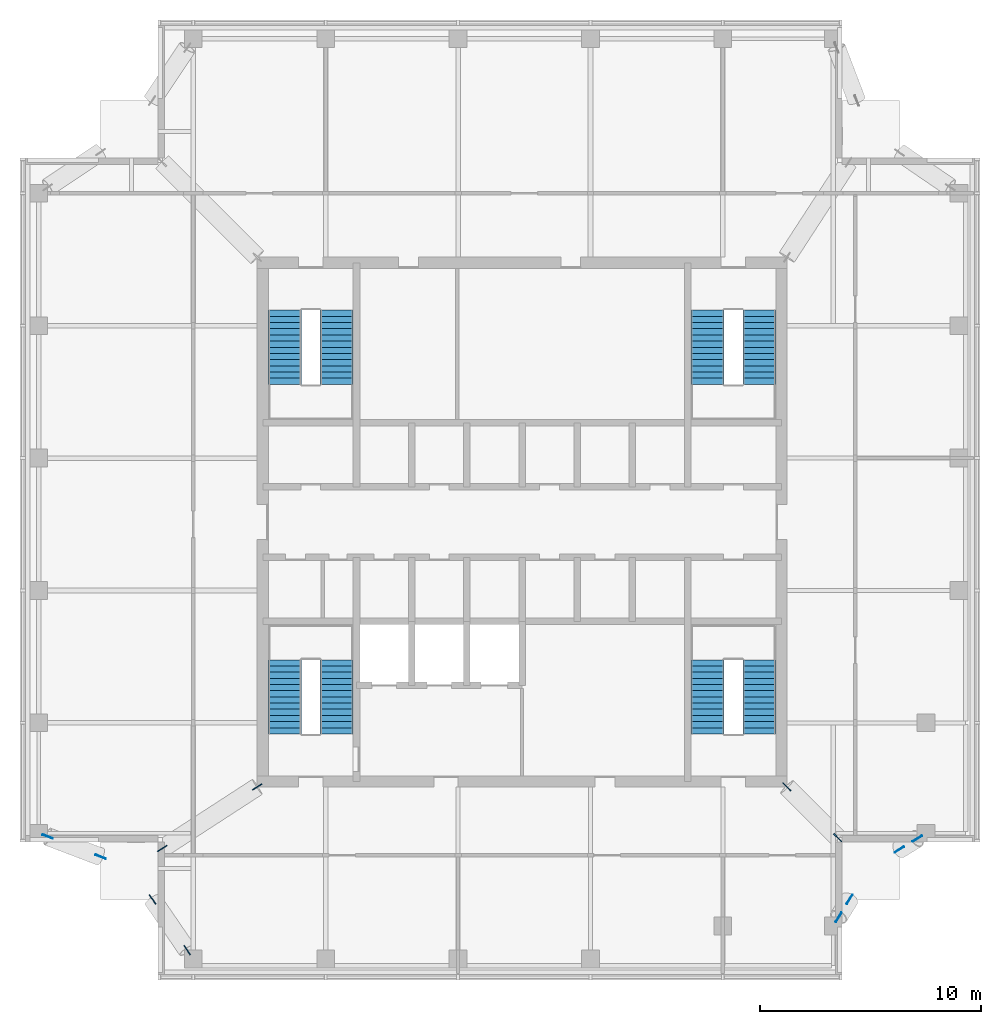
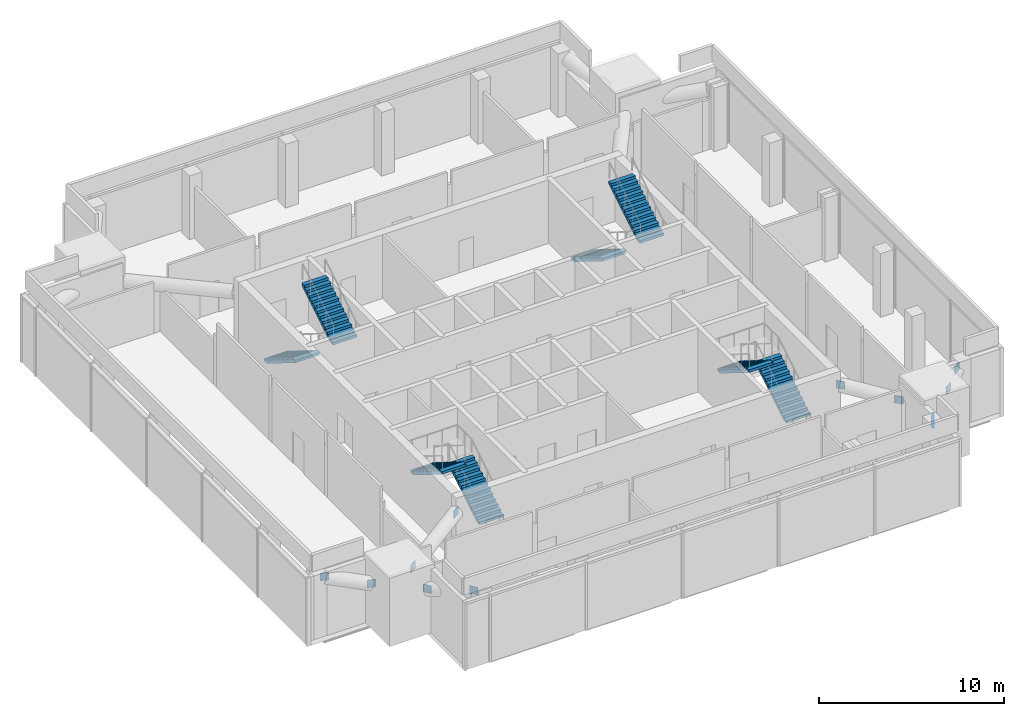
# One storey, part 8 of 11: 12 discrete accessories, 8 stair flights, 4 elements without a shape of their own.
"""IFC4 building model written with IfcOpenShell, lengths in metres."""

from ifc_helpers import new_model, si_unit, direction, frame, origin, origin_2d, place, context, subcontext, project, spatial, polyline, rectangle, outline, extrude, material, type_object, element, aggregate, save


model = new_model("IFC4")

# Units and contexts
model_context = context("Model", 3, precision=1e-05, world=origin(), true_north=direction((0.0, 1.0)))
body_context = subcontext(model_context, "Body", "Model", "MODEL_VIEW")
ifc_project = project(units=[si_unit("LENGTHUNIT", "METRE"), si_unit("AREAUNIT", "SQUARE_METRE"), si_unit("VOLUMEUNIT", "CUBIC_METRE"), si_unit("PLANEANGLEUNIT", "RADIAN"), si_unit("MASSUNIT", "GRAM", prefix="KILO")], contexts=[model_context])

# Site, building, storey
site_placement = place(None, origin())
site = spatial("IfcSite", under=ifc_project, at=site_placement, CompositionType="ELEMENT")
building_placement = place(site_placement, origin())
building = spatial("IfcBuilding", under=site, at=building_placement, Name="Amberfall Residences", CompositionType="ELEMENT")
storey_placement = place(building_placement, frame((0.0, 0.0, 286.300048828125)))
storey = spatial("IfcBuildingStorey", under=building, at=storey_placement, Name="L77 Crown", CompositionType="ELEMENT", Elevation=286.300048828125)

# Stair, stair flights
ifc_material = material(Name="Concrete C40", Category="concrete")
stair_type = type_object("IfcStairType", Name="Exit stair 26 risers 173.1 mm", PredefinedType="HALF_TURN_STAIR", material=ifc_material)
stair_1_placement = place(storey_placement, origin())
stair_1 = element("IfcStair", 1, at=stair_1_placement, inside=storey, type_object=stair_type, Name="L77 Crown Exit stair 1", PredefinedType="HALF_TURN_STAIR")
stair_flight_type = type_object("IfcStairFlightType", Name="Stair flight 13 risers 173.1 mm", PredefinedType="STRAIGHT", material=ifc_material)
stair_flight_1_placement = place(storey_placement, frame((66.10009765625, 35.89990234375, 0.0), z_axis=(0.0, 0.0, 1.0), x_axis=(0.0, 1.0, 0.0)))
stair_flight_1 = element("IfcStairFlight", 2, at=stair_flight_1_placement, type_object=stair_flight_type, Name="ST2 flight 1", NumberOfRisers=13, NumberOfTreads=12, PredefinedType="STRAIGHT", RiserHeight=0.173076923, TreadLength=0.28, context=body_context, shape_type="SweptSolid", body=[
    extrude(outline(polyline([(0.0, 0.0), (0.0, 0.173095703125), (0.280029296875, 0.173095703125), (0.280029296875, 0.34619140625), (0.56005859375, 0.34619140625), (0.56005859375, 0.519287109375), (0.840087890625, 0.519287109375), (0.840087890625, 0.6923828125), (1.1201171875, 0.6923828125), (1.1201171875, 0.865478515625), (1.39990234375, 0.865478515625), (1.39990234375, 1.03857421875), (1.679931640625, 1.03857421875), (1.679931640625, 1.21142578125), (1.9599609375, 1.21142578125), (1.9599609375, 1.384521484375), (2.239990234375, 1.384521484375), (2.239990234375, 1.5576171875), (2.52001953125, 1.5576171875), (2.52001953125, 1.730712890625), (2.800048828125, 1.730712890625), (2.800048828125, 1.90380859375), (3.080078125, 1.90380859375), (3.080078125, 2.076904296875), (3.360107421875, 2.076904296875), (3.360107421875, 2.25), (3.360107421875, 1.900634765625), (0.28515625, 0.0), (0.0, 0.0)])), frame((0.0, 0.75, 0.0), z_axis=(0.0, -1.0, 0.0), x_axis=(1.0, 0.0, 0.0)), (0.0, 0.0, 1.0), 1.5),
])
stair_flight_2_placement = place(storey_placement, frame((63.75, 39.260009765625, 2.25), z_axis=(0.0, 0.0, 1.0), x_axis=(0.0, -1.0, 0.0)))
stair_flight_2 = element("IfcStairFlight", 3, at=stair_flight_2_placement, type_object=stair_flight_type, Name="ST2 flight 2", NumberOfRisers=13, NumberOfTreads=12, PredefinedType="STRAIGHT", RiserHeight=0.173076923, TreadLength=0.28, context=body_context, shape_type="SweptSolid", body=[
    extrude(outline(polyline([(0.0, 0.0), (0.0, 0.173095703125), (0.280029296875, 0.173095703125), (0.280029296875, 0.34619140625), (0.56005859375, 0.34619140625), (0.56005859375, 0.519287109375), (0.840087890625, 0.519287109375), (0.840087890625, 0.6923828125), (1.1201171875, 0.6923828125), (1.1201171875, 0.865478515625), (1.39990234375, 0.865478515625), (1.39990234375, 1.03857421875), (1.679931640625, 1.03857421875), (1.679931640625, 1.21142578125), (1.9599609375, 1.21142578125), (1.9599609375, 1.384521484375), (2.239990234375, 1.384521484375), (2.239990234375, 1.5576171875), (2.52001953125, 1.5576171875), (2.52001953125, 1.730712890625), (2.800048828125, 1.730712890625), (2.800048828125, 1.90380859375), (3.080078125, 1.90380859375), (3.080078125, 2.076904296875), (3.360107421875, 2.076904296875), (3.360107421875, 2.25), (3.360107421875, 1.900634765625), (0.28515625, 0.0), (0.0, 0.0)])), frame((0.0, 0.75, 0.0), z_axis=(0.0, -1.0, 0.0), x_axis=(1.0, 0.0, 0.0)), (0.0, 0.0, 1.0), 1.5),
])
aggregate(stair_1, [stair_flight_1, stair_flight_2])

stair_2_placement = place(storey_placement, origin())
stair_2 = element("IfcStair", 4, at=stair_2_placement, inside=storey, type_object=stair_type, Name="L77 Crown Exit stair 2", PredefinedType="HALF_TURN_STAIR")
stair_flight_3_placement = place(storey_placement, frame((85.25, 35.89990234375, 0.0), z_axis=(0.0, 0.0, 1.0), x_axis=(0.0, 1.0, 0.0)))
stair_flight_3 = element("IfcStairFlight", 5, at=stair_flight_3_placement, type_object=stair_flight_type, Name="ST2 flight 1", NumberOfRisers=13, NumberOfTreads=12, PredefinedType="STRAIGHT", RiserHeight=0.173076923, TreadLength=0.28, context=body_context, shape_type="SweptSolid", body=[
    extrude(outline(polyline([(0.0, 0.0), (0.0, 0.173095703125), (0.280029296875, 0.173095703125), (0.280029296875, 0.34619140625), (0.56005859375, 0.34619140625), (0.56005859375, 0.519287109375), (0.840087890625, 0.519287109375), (0.840087890625, 0.6923828125), (1.1201171875, 0.6923828125), (1.1201171875, 0.865478515625), (1.39990234375, 0.865478515625), (1.39990234375, 1.03857421875), (1.679931640625, 1.03857421875), (1.679931640625, 1.21142578125), (1.9599609375, 1.21142578125), (1.9599609375, 1.384521484375), (2.239990234375, 1.384521484375), (2.239990234375, 1.5576171875), (2.52001953125, 1.5576171875), (2.52001953125, 1.730712890625), (2.800048828125, 1.730712890625), (2.800048828125, 1.90380859375), (3.080078125, 1.90380859375), (3.080078125, 2.076904296875), (3.360107421875, 2.076904296875), (3.360107421875, 2.25), (3.360107421875, 1.900634765625), (0.28515625, 0.0), (0.0, 0.0)])), frame((0.0, 0.75, 0.0), z_axis=(0.0, -1.0, 0.0), x_axis=(1.0, 0.0, 0.0)), (0.0, 0.0, 1.0), 1.5),
])
stair_flight_4_placement = place(storey_placement, frame((82.89990234375, 39.260009765625, 2.25), z_axis=(0.0, 0.0, 1.0), x_axis=(0.0, -1.0, 0.0)))
stair_flight_4 = element("IfcStairFlight", 6, at=stair_flight_4_placement, type_object=stair_flight_type, Name="ST2 flight 2", NumberOfRisers=13, NumberOfTreads=12, PredefinedType="STRAIGHT", RiserHeight=0.173076923, TreadLength=0.28, context=body_context, shape_type="SweptSolid", body=[
    extrude(outline(polyline([(0.0, 0.0), (0.0, 0.173095703125), (0.280029296875, 0.173095703125), (0.280029296875, 0.34619140625), (0.56005859375, 0.34619140625), (0.56005859375, 0.519287109375), (0.840087890625, 0.519287109375), (0.840087890625, 0.6923828125), (1.1201171875, 0.6923828125), (1.1201171875, 0.865478515625), (1.39990234375, 0.865478515625), (1.39990234375, 1.03857421875), (1.679931640625, 1.03857421875), (1.679931640625, 1.21142578125), (1.9599609375, 1.21142578125), (1.9599609375, 1.384521484375), (2.239990234375, 1.384521484375), (2.239990234375, 1.5576171875), (2.52001953125, 1.5576171875), (2.52001953125, 1.730712890625), (2.800048828125, 1.730712890625), (2.800048828125, 1.90380859375), (3.080078125, 1.90380859375), (3.080078125, 2.076904296875), (3.360107421875, 2.076904296875), (3.360107421875, 2.25), (3.360107421875, 1.900634765625), (0.28515625, 0.0), (0.0, 0.0)])), frame((0.0, 0.75, 0.0), z_axis=(0.0, -1.0, 0.0), x_axis=(1.0, 0.0, 0.0)), (0.0, 0.0, 1.0), 1.5),
])
aggregate(stair_2, [stair_flight_3, stair_flight_4])

stair_3_placement = place(storey_placement, origin())
stair_3 = element("IfcStair", 7, at=stair_3_placement, inside=storey, type_object=stair_type, Name="L77 Crown Exit stair 3", PredefinedType="HALF_TURN_STAIR")
stair_flight_5_placement = place(storey_placement, frame((82.89990234375, 55.10009765625, 0.0), z_axis=(0.0, 0.0, 1.0), x_axis=(0.0, -1.0, 0.0)))
stair_flight_5 = element("IfcStairFlight", 8, at=stair_flight_5_placement, type_object=stair_flight_type, Name="ST2 flight 1", NumberOfRisers=13, NumberOfTreads=12, PredefinedType="STRAIGHT", RiserHeight=0.173076923, TreadLength=0.28, context=body_context, shape_type="SweptSolid", body=[
    extrude(outline(polyline([(0.0, 0.0), (0.0, 0.173095703125), (0.280029296875, 0.173095703125), (0.280029296875, 0.34619140625), (0.56005859375, 0.34619140625), (0.56005859375, 0.519287109375), (0.840087890625, 0.519287109375), (0.840087890625, 0.6923828125), (1.1201171875, 0.6923828125), (1.1201171875, 0.865478515625), (1.39990234375, 0.865478515625), (1.39990234375, 1.03857421875), (1.679931640625, 1.03857421875), (1.679931640625, 1.21142578125), (1.9599609375, 1.21142578125), (1.9599609375, 1.384521484375), (2.239990234375, 1.384521484375), (2.239990234375, 1.5576171875), (2.52001953125, 1.5576171875), (2.52001953125, 1.730712890625), (2.800048828125, 1.730712890625), (2.800048828125, 1.90380859375), (3.080078125, 1.90380859375), (3.080078125, 2.076904296875), (3.360107421875, 2.076904296875), (3.360107421875, 2.25), (3.360107421875, 1.900634765625), (0.28515625, 0.0), (0.0, 0.0)])), frame((0.0, 0.75, 0.0), z_axis=(0.0, -1.0, 0.0), x_axis=(1.0, 0.0, 0.0)), (0.0, 0.0, 1.0), 1.5),
])
stair_flight_6_placement = place(storey_placement, frame((85.25, 51.739990234375, 2.25), z_axis=(0.0, 0.0, 1.0), x_axis=(0.0, 1.0, 0.0)))
stair_flight_6 = element("IfcStairFlight", 9, at=stair_flight_6_placement, type_object=stair_flight_type, Name="ST2 flight 2", NumberOfRisers=13, NumberOfTreads=12, PredefinedType="STRAIGHT", RiserHeight=0.173076923, TreadLength=0.28, context=body_context, shape_type="SweptSolid", body=[
    extrude(outline(polyline([(0.0, 0.0), (0.0, 0.173095703125), (0.280029296875, 0.173095703125), (0.280029296875, 0.34619140625), (0.56005859375, 0.34619140625), (0.56005859375, 0.519287109375), (0.840087890625, 0.519287109375), (0.840087890625, 0.6923828125), (1.1201171875, 0.6923828125), (1.1201171875, 0.865478515625), (1.39990234375, 0.865478515625), (1.39990234375, 1.03857421875), (1.679931640625, 1.03857421875), (1.679931640625, 1.21142578125), (1.9599609375, 1.21142578125), (1.9599609375, 1.384521484375), (2.239990234375, 1.384521484375), (2.239990234375, 1.5576171875), (2.52001953125, 1.5576171875), (2.52001953125, 1.730712890625), (2.800048828125, 1.730712890625), (2.800048828125, 1.90380859375), (3.080078125, 1.90380859375), (3.080078125, 2.076904296875), (3.360107421875, 2.076904296875), (3.360107421875, 2.25), (3.360107421875, 1.900634765625), (0.28515625, 0.0), (0.0, 0.0)])), frame((0.0, 0.75, 0.0), z_axis=(0.0, -1.0, 0.0), x_axis=(1.0, 0.0, 0.0)), (0.0, 0.0, 1.0), 1.5),
])
aggregate(stair_3, [stair_flight_5, stair_flight_6])

stair_4_placement = place(storey_placement, origin())
stair_4 = element("IfcStair", 10, at=stair_4_placement, inside=storey, type_object=stair_type, Name="L77 Crown Exit stair 4", PredefinedType="HALF_TURN_STAIR")
stair_flight_7_placement = place(storey_placement, frame((63.75, 55.10009765625, 0.0), z_axis=(0.0, 0.0, 1.0), x_axis=(0.0, -1.0, 0.0)))
stair_flight_7 = element("IfcStairFlight", 11, at=stair_flight_7_placement, type_object=stair_flight_type, Name="ST2 flight 1", NumberOfRisers=13, NumberOfTreads=12, PredefinedType="STRAIGHT", RiserHeight=0.173076923, TreadLength=0.28, context=body_context, shape_type="SweptSolid", body=[
    extrude(outline(polyline([(0.0, 0.0), (0.0, 0.173095703125), (0.280029296875, 0.173095703125), (0.280029296875, 0.34619140625), (0.56005859375, 0.34619140625), (0.56005859375, 0.519287109375), (0.840087890625, 0.519287109375), (0.840087890625, 0.6923828125), (1.1201171875, 0.6923828125), (1.1201171875, 0.865478515625), (1.39990234375, 0.865478515625), (1.39990234375, 1.03857421875), (1.679931640625, 1.03857421875), (1.679931640625, 1.21142578125), (1.9599609375, 1.21142578125), (1.9599609375, 1.384521484375), (2.239990234375, 1.384521484375), (2.239990234375, 1.5576171875), (2.52001953125, 1.5576171875), (2.52001953125, 1.730712890625), (2.800048828125, 1.730712890625), (2.800048828125, 1.90380859375), (3.080078125, 1.90380859375), (3.080078125, 2.076904296875), (3.360107421875, 2.076904296875), (3.360107421875, 2.25), (3.360107421875, 1.900634765625), (0.28515625, 0.0), (0.0, 0.0)])), frame((0.0, 0.75, 0.0), z_axis=(0.0, -1.0, 0.0), x_axis=(1.0, 0.0, 0.0)), (0.0, 0.0, 1.0), 1.5),
])
stair_flight_8_placement = place(storey_placement, frame((66.10009765625, 51.739990234375, 2.25), z_axis=(0.0, 0.0, 1.0), x_axis=(0.0, 1.0, 0.0)))
stair_flight_8 = element("IfcStairFlight", 12, at=stair_flight_8_placement, type_object=stair_flight_type, Name="ST2 flight 2", NumberOfRisers=13, NumberOfTreads=12, PredefinedType="STRAIGHT", RiserHeight=0.173076923, TreadLength=0.28, context=body_context, shape_type="SweptSolid", body=[
    extrude(outline(polyline([(0.0, 0.0), (0.0, 0.173095703125), (0.280029296875, 0.173095703125), (0.280029296875, 0.34619140625), (0.56005859375, 0.34619140625), (0.56005859375, 0.519287109375), (0.840087890625, 0.519287109375), (0.840087890625, 0.6923828125), (1.1201171875, 0.6923828125), (1.1201171875, 0.865478515625), (1.39990234375, 0.865478515625), (1.39990234375, 1.03857421875), (1.679931640625, 1.03857421875), (1.679931640625, 1.21142578125), (1.9599609375, 1.21142578125), (1.9599609375, 1.384521484375), (2.239990234375, 1.384521484375), (2.239990234375, 1.5576171875), (2.52001953125, 1.5576171875), (2.52001953125, 1.730712890625), (2.800048828125, 1.730712890625), (2.800048828125, 1.90380859375), (3.080078125, 1.90380859375), (3.080078125, 2.076904296875), (3.360107421875, 2.076904296875), (3.360107421875, 2.25), (3.360107421875, 1.900634765625), (0.28515625, 0.0), (0.0, 0.0)])), frame((0.0, 0.75, 0.0), z_axis=(0.0, -1.0, 0.0), x_axis=(1.0, 0.0, 0.0)), (0.0, 0.0, 1.0), 1.5),
])
aggregate(stair_4, [stair_flight_7, stair_flight_8])

# Discrete accessories
for number, where, z_axis, x_axis, name in (
    (13, (57.756103515625, 28.39990234375, 2.75), (0.0, 0.0, 1.0), (0.563958515726, -0.82580311972, 0.0), "Connection plate L77 Crown"),
    (14, (59.326904296875, 26.10009765625, 3.49267578125), (0.0, 0.0, 1.0), (0.563958515726, -0.82580311972, 0.0), "Connection plate L77 Crown"),
    (15, (55.39990234375, 30.333251953125, 2.75), (0.0, 0.0, 1.0), (-0.93448436753, 0.35600416689, 0.0), "Connection plate L77 Crown"),
    (16, (53.0, 31.24755859375, 3.49267578125), (0.0, 0.0, 1.0), (-0.93448436753, 0.35600416689, 0.0), "Connection plate L77 Crown"),
    (17, (89.33837890625, 28.39990234375, 2.75), (0.0, 0.0, 1.0), (-0.524089960135, -0.851662910832, 0.0), "Connection plate L77 Crown"),
    (18, (88.84619140625, 27.60009765625, 3.49267578125), (0.0, 0.0, 1.0), (-0.524089960135, -0.851662910832, 0.0), "Connection plate L77 Crown"),
    (19, (91.60009765625, 30.66162109375, 2.75), (0.0, 0.0, 1.0), (0.851662910832, 0.524089960135, 0.0), "Connection plate L77 Crown"),
    (20, (92.39990234375, 31.15380859375, 3.49267578125), (0.0, 0.0, 1.0), (0.851662910832, 0.524089960135, 0.0), "Connection plate L77 Crown"),
    (21, (58.199951171875, 30.708740234375, 2.64990234375), (0.0, 0.0, 1.0), (0.838775115677, 0.544478011788, 0.0), "Connection plate L77 Crown"),
    (22, (62.5, 33.5, 3.050048828125), (0.0, 0.0, 1.0), (0.838775115677, 0.544478011788, 0.0), "Connection plate L77 Crown"),
    (23, (88.800048828125, 31.199951171875, 2.64990234375), (0.0, 0.0, 1.0), (-0.707106781187, 0.707106781187, 0.0), "Connection plate L77 Crown"),
    (24, (86.5, 33.5, 3.050048828125), (0.0, 0.0, 1.0), (-0.707106781187, 0.707106781187, 0.0), "Connection plate L77 Crown"),
):
    element("IfcDiscreteAccessory", number, at=place(storey_placement, frame(where, z_axis=z_axis, x_axis=x_axis)), inside=storey, Name=name, PredefinedType="BRACKET", context=body_context, shape_type="SweptSolid", body=[
        extrude(rectangle(XDim=0.5, YDim=0.0400390625, at=origin_2d()), origin(), (0.0, 0.0, 1.0), 0.5),
    ])

save(model, "model.ifc")
